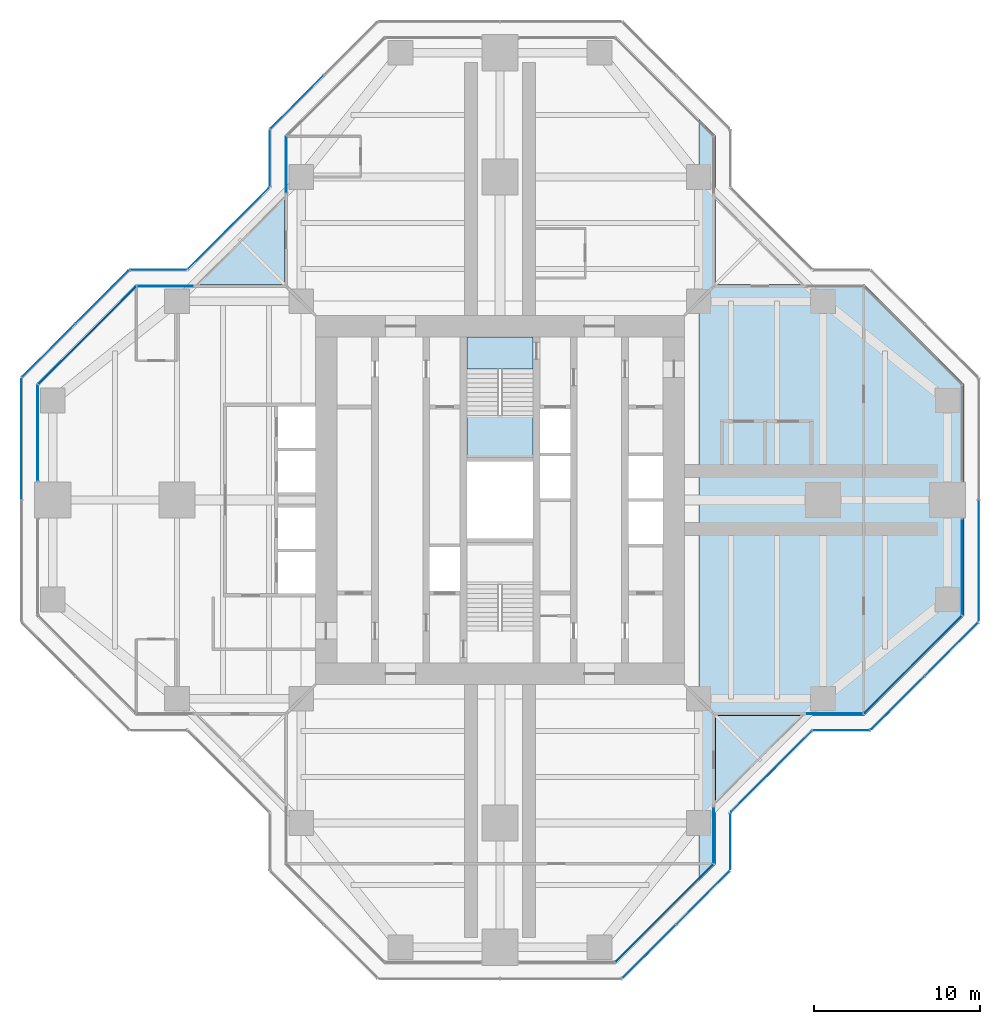
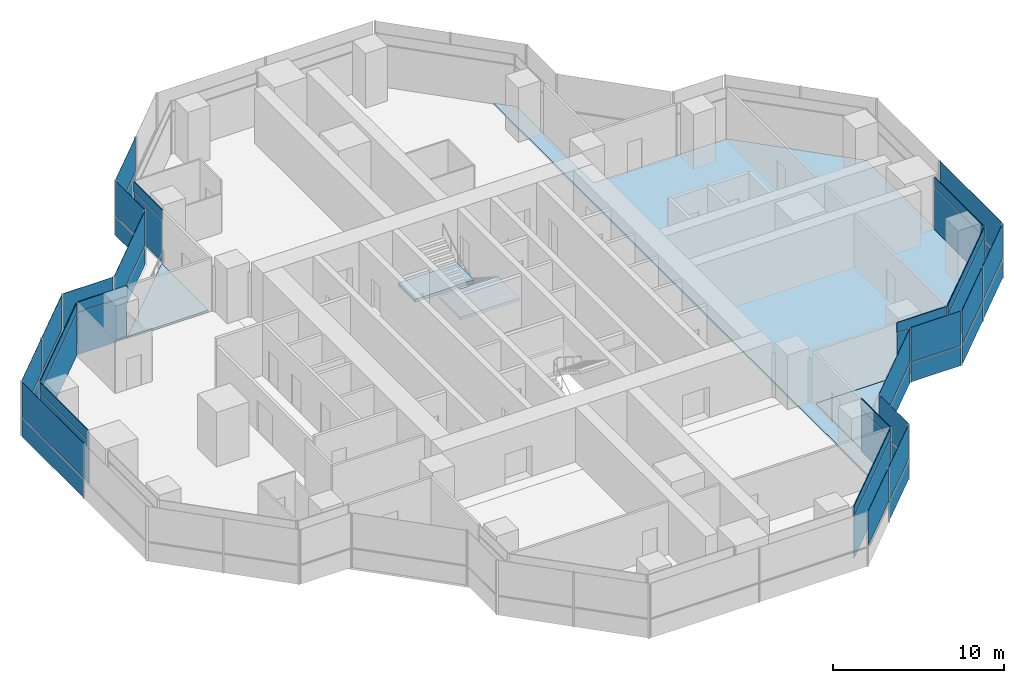
# One storey, part 11 of 17: 47 plates, 5 slabs, 22 elements without a shape of their own.
"""IFC4 building model written with IfcOpenShell, lengths in metres."""

from ifc_helpers import new_model, si_unit, direction, frame, origin, origin_2d, place, context, subcontext, project, spatial, polyline, rectangle, outline, extrude, material, layer, layer_set, type_object, element, aggregate, save


model = new_model("IFC4")

# Units and contexts
model_context = context("Model", 3, precision=1e-05, world=origin(), true_north=direction((0.0, 1.0)))
body_context = subcontext(model_context, "Body", "Model", "MODEL_VIEW")
ifc_project = project(units=[si_unit("LENGTHUNIT", "METRE"), si_unit("AREAUNIT", "SQUARE_METRE"), si_unit("VOLUMEUNIT", "CUBIC_METRE"), si_unit("PLANEANGLEUNIT", "RADIAN"), si_unit("MASSUNIT", "GRAM", prefix="KILO")], contexts=[model_context])

# Site, building, storey
site_placement = place(None, origin())
site = spatial("IfcSite", under=ifc_project, at=site_placement, CompositionType="ELEMENT")
building_placement = place(site_placement, origin())
building = spatial("IfcBuilding", under=site, at=building_placement, Name="Mizan Broadcast Tower", CompositionType="ELEMENT")
storey_placement = place(building_placement, frame((0.0, 0.0, 212.699951171875)))
storey = spatial("IfcBuildingStorey", under=building, at=storey_placement, Name="L49", CompositionType="ELEMENT", Elevation=212.699951171875)

# Slab
ifc_material_1 = material(Name="Concrete C32/40", Category="concrete")
ifc_layer_1 = layer(ifc_material_1, 0.1298828125)
ifc_layer_set_1 = layer_set([ifc_layer_1], Name="Concrete C32/40")
slab_type_1 = type_object("IfcSlabType", Name="COMPOSITE DECK SLAB 130", PredefinedType="FLOOR", material=ifc_layer_set_1)
slab_1_placement = place(storey_placement, frame((0.0, 0.0, -0.1298828125)))
element("IfcSlab", 1, at=slab_1_placement, inside=storey, type_object=slab_type_1, Name="Floor slab L49 east arm", PredefinedType="FLOOR", context=body_context, shape_type="SweptSolid", body=[
    extrude(outline(polyline([(13.0, 22.0), (12.0, 23.0), (12.0, -23.0), (13.0, -22.0), (13.0, -13.0), (22.0, -13.0), (28.0, -7.0), (28.0, 7.0), (22.0, 13.0), (13.0, 13.0), (13.0, 22.0)])), origin(), (0.0, 0.0, 1.0), 0.1298828125),
])

# Curtain wall, plate
ifc_material_2 = material(Name="Aluminium framed glazing", Category="aluminium")
curtain_wall_type_1 = type_object("IfcCurtainWallType", Name="INNER SKIN HIGH ZONE", PredefinedType="USERDEFINED", material=ifc_material_2)
curtain_wall_1_placement = place(storey_placement, origin())
curtain_wall_1 = element("IfcCurtainWall", 2, at=curtain_wall_1_placement, inside=storey, type_object=curtain_wall_type_1, Name="Inner skin high zone L49 E side", ObjectType="INNER SKIN HIGH ZONE", PredefinedType="USERDEFINED")
ifc_material_3 = material(Name="Double glazing, clear low-e", Category="glass")
ifc_layer_2 = layer(ifc_material_3, 0.028076171875)
ifc_layer_set_2 = layer_set([ifc_layer_2], Name="Double glazing, clear low-e")
plate_type_1 = type_object("IfcPlateType", Name="INNER SKIN GLAZING UNIT", PredefinedType="CURTAIN_PANEL", material=ifc_layer_set_2)
plate_1_placement = place(storey_placement, frame((20.229248046875, -12.89990234375, 0.0), z_axis=(0.0, 0.0, 1.0), x_axis=(1.0, 0.0, 0.0)))
plate_1 = element("IfcPlate", 3, at=plate_1_placement, type_object=plate_type_1, Name="Inner skin high zone L49 E side panel 1.1", PredefinedType="CURTAIN_PANEL", context=body_context, shape_type="SweptSolid", body=[
    extrude(rectangle(XDim=3.338623046875, YDim=0.028076171875, at=origin_2d()), origin(), (0.0, 0.0, 1.0), 3.0),
])

curtain_wall_2_placement = place(storey_placement, origin())
curtain_wall_2 = element("IfcCurtainWall", 4, at=curtain_wall_2_placement, inside=storey, type_object=curtain_wall_type_1, Name="Inner skin high zone L49 E chamfer", ObjectType="INNER SKIN HIGH ZONE", PredefinedType="USERDEFINED")
plate_2_placement = place(storey_placement, frame((24.92919921875, -9.92919921875, 0.0), z_axis=(0.0, 0.0, 1.0), x_axis=(0.707106781187, 0.707106781187, 0.0)))
plate_2 = element("IfcPlate", 5, at=plate_2_placement, type_object=plate_type_1, Name="Inner skin high zone L49 E chamfer panel 1.1", PredefinedType="CURTAIN_PANEL", context=body_context, shape_type="SweptSolid", body=[
    extrude(rectangle(XDim=8.282470703125, YDim=0.028076171875, at=origin_2d()), origin(), (0.0, 0.0, 1.0), 3.0),
])

curtain_wall_3_placement = place(storey_placement, origin())
curtain_wall_3 = element("IfcCurtainWall", 6, at=curtain_wall_3_placement, inside=storey, type_object=curtain_wall_type_1, Name="Inner skin high zone L49 E end", ObjectType="INNER SKIN HIGH ZONE", PredefinedType="USERDEFINED")
plate_3_placement = place(storey_placement, frame((27.89990234375, -4.029296875, 0.0), z_axis=(0.0, 0.0, 1.0), x_axis=(0.0, 1.0, 0.0)))
plate_3 = element("IfcPlate", 7, at=plate_3_placement, type_object=plate_type_1, Name="Inner skin high zone L49 E end panel 1.1", PredefinedType="CURTAIN_PANEL", context=body_context, shape_type="SweptSolid", body=[
    extrude(rectangle(XDim=5.738525390625, YDim=0.028076171875, at=origin_2d()), origin(), (0.0, 0.0, 1.0), 3.0),
])

curtain_wall_4_placement = place(storey_placement, origin())
curtain_wall_4 = element("IfcCurtainWall", 8, at=curtain_wall_4_placement, inside=storey, type_object=curtain_wall_type_1, Name="Inner skin high zone L49 N side", ObjectType="INNER SKIN HIGH ZONE", PredefinedType="USERDEFINED")
plate_4_placement = place(storey_placement, frame((-12.89990234375, 20.229248046875, 0.0), z_axis=(0.0, 0.0, 1.0), x_axis=(0.0, -1.0, 0.0)))
plate_4 = element("IfcPlate", 9, at=plate_4_placement, type_object=plate_type_1, Name="Inner skin high zone L49 N side panel 1.1", PredefinedType="CURTAIN_PANEL", context=body_context, shape_type="SweptSolid", body=[
    extrude(rectangle(XDim=3.338623046875, YDim=0.028076171875, at=origin_2d()), origin(), (0.0, 0.0, 1.0), 3.0),
])

curtain_wall_5_placement = place(storey_placement, origin())
curtain_wall_5 = element("IfcCurtainWall", 10, at=curtain_wall_5_placement, inside=storey, type_object=curtain_wall_type_1, Name="Inner skin high zone L49 W side", ObjectType="INNER SKIN HIGH ZONE", PredefinedType="USERDEFINED")
plate_5_placement = place(storey_placement, frame((-20.229248046875, 12.89990234375, 0.0), z_axis=(0.0, 0.0, 1.0), x_axis=(-1.0, 0.0, 0.0)))
plate_5 = element("IfcPlate", 11, at=plate_5_placement, type_object=plate_type_1, Name="Inner skin high zone L49 W side panel 1.1", PredefinedType="CURTAIN_PANEL", context=body_context, shape_type="SweptSolid", body=[
    extrude(rectangle(XDim=3.338623046875, YDim=0.028076171875, at=origin_2d()), origin(), (0.0, 0.0, 1.0), 3.0),
])

curtain_wall_6_placement = place(storey_placement, origin())
curtain_wall_6 = element("IfcCurtainWall", 12, at=curtain_wall_6_placement, inside=storey, type_object=curtain_wall_type_1, Name="Inner skin high zone L49 W chamfer", ObjectType="INNER SKIN HIGH ZONE", PredefinedType="USERDEFINED")
plate_6_placement = place(storey_placement, frame((-24.92919921875, 9.92919921875, 0.0), z_axis=(0.0, 0.0, 1.0), x_axis=(-0.707106781187, -0.707106781187, 0.0)))
plate_6 = element("IfcPlate", 13, at=plate_6_placement, type_object=plate_type_1, Name="Inner skin high zone L49 W chamfer panel 1.1", PredefinedType="CURTAIN_PANEL", context=body_context, shape_type="SweptSolid", body=[
    extrude(rectangle(XDim=8.282470703125, YDim=0.028076171875, at=origin_2d()), origin(), (0.0, 0.0, 1.0), 3.0),
])

curtain_wall_7_placement = place(storey_placement, origin())
curtain_wall_7 = element("IfcCurtainWall", 14, at=curtain_wall_7_placement, inside=storey, type_object=curtain_wall_type_1, Name="Inner skin high zone L49 W end", ObjectType="INNER SKIN HIGH ZONE", PredefinedType="USERDEFINED")
plate_7_placement = place(storey_placement, frame((-27.89990234375, 4.029296875, 0.0), z_axis=(0.0, 0.0, 1.0), x_axis=(0.0, -1.0, 0.0)))
plate_7 = element("IfcPlate", 15, at=plate_7_placement, type_object=plate_type_1, Name="Inner skin high zone L49 W end panel 1.1", PredefinedType="CURTAIN_PANEL", context=body_context, shape_type="SweptSolid", body=[
    extrude(rectangle(XDim=5.738525390625, YDim=0.028076171875, at=origin_2d()), origin(), (0.0, 0.0, 1.0), 3.0),
])

curtain_wall_8_placement = place(storey_placement, origin())
curtain_wall_8 = element("IfcCurtainWall", 16, at=curtain_wall_8_placement, inside=storey, type_object=curtain_wall_type_1, Name="Inner skin high zone L49 S chamfer", ObjectType="INNER SKIN HIGH ZONE", PredefinedType="USERDEFINED")
plate_8_placement = place(storey_placement, frame((9.92919921875, -24.92919921875, 0.0), z_axis=(0.0, 0.0, 1.0), x_axis=(0.707106781187, 0.707106781187, 0.0)))
plate_8 = element("IfcPlate", 17, at=plate_8_placement, type_object=plate_type_1, Name="Inner skin high zone L49 S chamfer panel 1.1", PredefinedType="CURTAIN_PANEL", context=body_context, shape_type="SweptSolid", body=[
    extrude(rectangle(XDim=8.282470703125, YDim=0.028076171875, at=origin_2d()), origin(), (0.0, 0.0, 1.0), 3.0),
])

curtain_wall_9_placement = place(storey_placement, origin())
curtain_wall_9 = element("IfcCurtainWall", 18, at=curtain_wall_9_placement, inside=storey, type_object=curtain_wall_type_1, Name="Inner skin high zone L49 S side", ObjectType="INNER SKIN HIGH ZONE", PredefinedType="USERDEFINED")
plate_9_placement = place(storey_placement, frame((12.89990234375, -20.229248046875, 0.0), z_axis=(0.0, 0.0, 1.0), x_axis=(0.0, 1.0, 0.0)))
plate_9 = element("IfcPlate", 19, at=plate_9_placement, type_object=plate_type_1, Name="Inner skin high zone L49 S side panel 1.1", PredefinedType="CURTAIN_PANEL", context=body_context, shape_type="SweptSolid", body=[
    extrude(rectangle(XDim=3.338623046875, YDim=0.028076171875, at=origin_2d()), origin(), (0.0, 0.0, 1.0), 3.0),
])

# Plate
ifc_material_4 = material(Name="Insulated aluminium spandrel panel, pale anodised", Category="aluminium")
ifc_layer_3 = layer(ifc_material_4, 0.050048828125)
ifc_layer_set_3 = layer_set([ifc_layer_3], Name="Insulated aluminium spandrel panel, pale anodised")
plate_type_2 = type_object("IfcPlateType", Name="INNER SKIN SPANDREL PANEL", PredefinedType="CURTAIN_PANEL", material=ifc_layer_set_3)
plate_10_placement = place(storey_placement, frame((20.229248046875, -12.89990234375, 3.06005859375), z_axis=(0.0, 0.0, 1.0), x_axis=(1.0, 0.0, 0.0)))
plate_10 = element("IfcPlate", 20, at=plate_10_placement, type_object=plate_type_2, Name="Inner skin high zone L49 E side panel 1.2", PredefinedType="CURTAIN_PANEL", context=body_context, shape_type="SweptSolid", body=[
    extrude(rectangle(XDim=3.338623046875, YDim=0.050048828125, at=origin_2d()), origin(), (0.0, 0.0, 1.0), 0.7099609375),
])

aggregate(curtain_wall_1, [plate_1, plate_10])

plate_11_placement = place(storey_placement, frame((24.92919921875, -9.92919921875, 3.06005859375), z_axis=(0.0, 0.0, 1.0), x_axis=(0.707106781187, 0.707106781187, 0.0)))
plate_11 = element("IfcPlate", 21, at=plate_11_placement, type_object=plate_type_2, Name="Inner skin high zone L49 E chamfer panel 1.2", PredefinedType="CURTAIN_PANEL", context=body_context, shape_type="SweptSolid", body=[
    extrude(rectangle(XDim=8.282470703125, YDim=0.050048828125, at=origin_2d()), origin(), (0.0, 0.0, 1.0), 0.7099609375),
])

aggregate(curtain_wall_2, [plate_2, plate_11])

plate_12_placement = place(storey_placement, frame((27.89990234375, -4.029296875, 3.06005859375), z_axis=(0.0, 0.0, 1.0), x_axis=(0.0, 1.0, 0.0)))
plate_12 = element("IfcPlate", 22, at=plate_12_placement, type_object=plate_type_2, Name="Inner skin high zone L49 E end panel 1.2", PredefinedType="CURTAIN_PANEL", context=body_context, shape_type="SweptSolid", body=[
    extrude(rectangle(XDim=5.738525390625, YDim=0.050048828125, at=origin_2d()), origin(), (0.0, 0.0, 1.0), 0.7099609375),
])

aggregate(curtain_wall_3, [plate_3, plate_12])

plate_13_placement = place(storey_placement, frame((-12.89990234375, 20.229248046875, 3.06005859375), z_axis=(0.0, 0.0, 1.0), x_axis=(0.0, -1.0, 0.0)))
plate_13 = element("IfcPlate", 23, at=plate_13_placement, type_object=plate_type_2, Name="Inner skin high zone L49 N side panel 1.2", PredefinedType="CURTAIN_PANEL", context=body_context, shape_type="SweptSolid", body=[
    extrude(rectangle(XDim=3.338623046875, YDim=0.050048828125, at=origin_2d()), origin(), (0.0, 0.0, 1.0), 0.7099609375),
])

aggregate(curtain_wall_4, [plate_4, plate_13])

plate_14_placement = place(storey_placement, frame((-20.229248046875, 12.89990234375, 3.06005859375), z_axis=(0.0, 0.0, 1.0), x_axis=(-1.0, 0.0, 0.0)))
plate_14 = element("IfcPlate", 24, at=plate_14_placement, type_object=plate_type_2, Name="Inner skin high zone L49 W side panel 1.2", PredefinedType="CURTAIN_PANEL", context=body_context, shape_type="SweptSolid", body=[
    extrude(rectangle(XDim=3.338623046875, YDim=0.050048828125, at=origin_2d()), origin(), (0.0, 0.0, 1.0), 0.7099609375),
])

aggregate(curtain_wall_5, [plate_5, plate_14])

plate_15_placement = place(storey_placement, frame((-24.92919921875, 9.92919921875, 3.06005859375), z_axis=(0.0, 0.0, 1.0), x_axis=(-0.707106781187, -0.707106781187, 0.0)))
plate_15 = element("IfcPlate", 25, at=plate_15_placement, type_object=plate_type_2, Name="Inner skin high zone L49 W chamfer panel 1.2", PredefinedType="CURTAIN_PANEL", context=body_context, shape_type="SweptSolid", body=[
    extrude(rectangle(XDim=8.282470703125, YDim=0.050048828125, at=origin_2d()), origin(), (0.0, 0.0, 1.0), 0.7099609375),
])

aggregate(curtain_wall_6, [plate_6, plate_15])

plate_16_placement = place(storey_placement, frame((-27.89990234375, 4.029296875, 3.06005859375), z_axis=(0.0, 0.0, 1.0), x_axis=(0.0, -1.0, 0.0)))
plate_16 = element("IfcPlate", 26, at=plate_16_placement, type_object=plate_type_2, Name="Inner skin high zone L49 W end panel 1.2", PredefinedType="CURTAIN_PANEL", context=body_context, shape_type="SweptSolid", body=[
    extrude(rectangle(XDim=5.738525390625, YDim=0.050048828125, at=origin_2d()), origin(), (0.0, 0.0, 1.0), 0.7099609375),
])

aggregate(curtain_wall_7, [plate_7, plate_16])

plate_17_placement = place(storey_placement, frame((9.92919921875, -24.92919921875, 3.06005859375), z_axis=(0.0, 0.0, 1.0), x_axis=(0.707106781187, 0.707106781187, 0.0)))
plate_17 = element("IfcPlate", 27, at=plate_17_placement, type_object=plate_type_2, Name="Inner skin high zone L49 S chamfer panel 1.2", PredefinedType="CURTAIN_PANEL", context=body_context, shape_type="SweptSolid", body=[
    extrude(rectangle(XDim=8.282470703125, YDim=0.050048828125, at=origin_2d()), origin(), (0.0, 0.0, 1.0), 0.7099609375),
])

aggregate(curtain_wall_8, [plate_8, plate_17])

plate_18_placement = place(storey_placement, frame((12.89990234375, -20.229248046875, 3.06005859375), z_axis=(0.0, 0.0, 1.0), x_axis=(0.0, 1.0, 0.0)))
plate_18 = element("IfcPlate", 28, at=plate_18_placement, type_object=plate_type_2, Name="Inner skin high zone L49 S side panel 1.2", PredefinedType="CURTAIN_PANEL", context=body_context, shape_type="SweptSolid", body=[
    extrude(rectangle(XDim=3.338623046875, YDim=0.050048828125, at=origin_2d()), origin(), (0.0, 0.0, 1.0), 0.7099609375),
])

aggregate(curtain_wall_9, [plate_9, plate_18])

# Curtain wall, plates
ifc_material_5 = material(Name="Aluminium framed glazing", Category="aluminium")
curtain_wall_type_2 = type_object("IfcCurtainWallType", Name="OUTER SKIN", PredefinedType="USERDEFINED", material=ifc_material_5)
curtain_wall_10_placement = place(storey_placement, origin())
curtain_wall_10 = element("IfcCurtainWall", 29, at=curtain_wall_10_placement, inside=storey, type_object=curtain_wall_type_2, Name="Outer skin L49 E chamfer", ObjectType="OUTER SKIN", PredefinedType="USERDEFINED")
ifc_material_6 = material(Name="Laminated clear glass", Category="glass")
ifc_layer_4 = layer(ifc_material_6, 0.02001953125)
ifc_layer_set_4 = layer_set([ifc_layer_4], Name="Laminated clear glass")
plate_type_3 = type_object("IfcPlateType", Name="OUTER SKIN CLEAR GLASS", PredefinedType="CURTAIN_PANEL", material=ifc_layer_set_4)
plate_19_placement = place(storey_placement, frame((24.018798828125, -12.254150390625, 0.0), z_axis=(0.0, 0.0, 1.0), x_axis=(0.707106781187, 0.707106781187, 0.0)))
plate_19 = element("IfcPlate", 30, at=plate_19_placement, type_object=plate_type_3, Name="Outer skin L49 E chamfer panel 1.1", PredefinedType="CURTAIN_PANEL", context=body_context, shape_type="SweptSolid", body=[
    extrude(rectangle(XDim=4.495361328125, YDim=0.02001953125, at=origin_2d()), origin(), (0.0, 0.0, 1.0), 1.3701171875),
])
plate_20_placement = place(storey_placement, frame((24.018798828125, -12.254150390625, 1.43017578125), z_axis=(0.0, 0.0, 1.0), x_axis=(0.707106781187, 0.707106781187, 0.0)))
plate_20 = element("IfcPlate", 31, at=plate_20_placement, type_object=plate_type_3, Name="Outer skin L49 E chamfer panel 1.2", PredefinedType="CURTAIN_PANEL", context=body_context, shape_type="SweptSolid", body=[
    extrude(rectangle(XDim=4.495361328125, YDim=0.02001953125, at=origin_2d()), origin(), (0.0, 0.0, 1.0), 2.469970703125),
])

curtain_wall_11_placement = place(storey_placement, origin())
curtain_wall_11 = element("IfcCurtainWall", 32, at=curtain_wall_11_placement, inside=storey, type_object=curtain_wall_type_2, Name="Outer skin L49 E end", ObjectType="OUTER SKIN", PredefinedType="USERDEFINED")
plate_21_placement = place(storey_placement, frame((28.89990234375, -3.66650390625, 0.0), z_axis=(0.0, 0.0, 1.0), x_axis=(0.0, 1.0, 0.0)))
plate_21 = element("IfcPlate", 33, at=plate_21_placement, type_object=plate_type_3, Name="Outer skin L49 E end panel 1.1", PredefinedType="CURTAIN_PANEL", context=body_context, shape_type="SweptSolid", body=[
    extrude(rectangle(XDim=7.252685546875, YDim=0.02001953125, at=origin_2d()), origin(), (0.0, 0.0, 1.0), 1.3701171875),
])
plate_22_placement = place(storey_placement, frame((28.89990234375, -3.66650390625, 1.43017578125), z_axis=(0.0, 0.0, 1.0), x_axis=(0.0, 1.0, 0.0)))
plate_22 = element("IfcPlate", 34, at=plate_22_placement, type_object=plate_type_3, Name="Outer skin L49 E end panel 1.2", PredefinedType="CURTAIN_PANEL", context=body_context, shape_type="SweptSolid", body=[
    extrude(rectangle(XDim=7.252685546875, YDim=0.02001953125, at=origin_2d()), origin(), (0.0, 0.0, 1.0), 2.469970703125),
])
aggregate(curtain_wall_11, [plate_21, plate_22])

curtain_wall_12_placement = place(storey_placement, origin())
curtain_wall_12 = element("IfcCurtainWall", 35, at=curtain_wall_12_placement, inside=storey, type_object=curtain_wall_type_2, Name="Outer skin L49 N side", ObjectType="OUTER SKIN", PredefinedType="USERDEFINED")
plate_23_placement = place(storey_placement, frame((-13.89990234375, 20.622802734375, 0.0), z_axis=(0.0, 0.0, 1.0), x_axis=(0.0, -1.0, 0.0)))
plate_23 = element("IfcPlate", 36, at=plate_23_placement, type_object=plate_type_3, Name="Outer skin L49 N side panel 1.1", PredefinedType="CURTAIN_PANEL", context=body_context, shape_type="SweptSolid", body=[
    extrude(rectangle(XDim=3.340087890625, YDim=0.02001953125, at=origin_2d()), origin(), (0.0, 0.0, 1.0), 1.3701171875),
])
plate_24_placement = place(storey_placement, frame((-13.89990234375, 20.622802734375, 1.43017578125), z_axis=(0.0, 0.0, 1.0), x_axis=(0.0, -1.0, 0.0)))
plate_24 = element("IfcPlate", 37, at=plate_24_placement, type_object=plate_type_3, Name="Outer skin L49 N side panel 1.2", PredefinedType="CURTAIN_PANEL", context=body_context, shape_type="SweptSolid", body=[
    extrude(rectangle(XDim=3.340087890625, YDim=0.02001953125, at=origin_2d()), origin(), (0.0, 0.0, 1.0), 2.469970703125),
])
aggregate(curtain_wall_12, [plate_23, plate_24])

curtain_wall_13_placement = place(storey_placement, origin())
curtain_wall_13 = element("IfcCurtainWall", 38, at=curtain_wall_13_placement, inside=storey, type_object=curtain_wall_type_2, Name="Outer skin L49 W chamfer", ObjectType="OUTER SKIN", PredefinedType="USERDEFINED")
plate_25_placement = place(storey_placement, frame((-16.386474609375, 16.386474609375, 0.0), z_axis=(0.0, 0.0, 1.0), x_axis=(-0.707106781187, -0.707106781187, 0.0)))
plate_25 = element("IfcPlate", 39, at=plate_25_placement, type_object=plate_type_3, Name="Outer skin L49 W chamfer panel 1.1", PredefinedType="CURTAIN_PANEL", context=body_context, shape_type="SweptSolid", body=[
    extrude(rectangle(XDim=6.87255859375, YDim=0.02001953125, at=origin_2d()), origin(), (0.0, 0.0, 1.0), 1.3701171875),
])
plate_26_placement = place(storey_placement, frame((-16.386474609375, 16.386474609375, 1.43017578125), z_axis=(0.0, 0.0, 1.0), x_axis=(-0.707106781187, -0.707106781187, 0.0)))
plate_26 = element("IfcPlate", 40, at=plate_26_placement, type_object=plate_type_3, Name="Outer skin L49 W chamfer panel 1.2", PredefinedType="CURTAIN_PANEL", context=body_context, shape_type="SweptSolid", body=[
    extrude(rectangle(XDim=6.87255859375, YDim=0.02001953125, at=origin_2d()), origin(), (0.0, 0.0, 1.0), 2.469970703125),
])
aggregate(curtain_wall_13, [plate_25, plate_26])

curtain_wall_14_placement = place(storey_placement, origin())
curtain_wall_14 = element("IfcCurtainWall", 41, at=curtain_wall_14_placement, inside=storey, type_object=curtain_wall_type_2, Name="Outer skin L49 W side", ObjectType="OUTER SKIN", PredefinedType="USERDEFINED")
plate_27_placement = place(storey_placement, frame((-20.622802734375, 13.89990234375, 0.0), z_axis=(0.0, 0.0, 1.0), x_axis=(-1.0, 0.0, 0.0)))
plate_27 = element("IfcPlate", 42, at=plate_27_placement, type_object=plate_type_3, Name="Outer skin L49 W side panel 1.1", PredefinedType="CURTAIN_PANEL", context=body_context, shape_type="SweptSolid", body=[
    extrude(rectangle(XDim=3.340087890625, YDim=0.02001953125, at=origin_2d()), origin(), (0.0, 0.0, 1.0), 1.3701171875),
])
plate_28_placement = place(storey_placement, frame((-20.622802734375, 13.89990234375, 1.43017578125), z_axis=(0.0, 0.0, 1.0), x_axis=(-1.0, 0.0, 0.0)))
plate_28 = element("IfcPlate", 43, at=plate_28_placement, type_object=plate_type_3, Name="Outer skin L49 W side panel 1.2", PredefinedType="CURTAIN_PANEL", context=body_context, shape_type="SweptSolid", body=[
    extrude(rectangle(XDim=3.340087890625, YDim=0.02001953125, at=origin_2d()), origin(), (0.0, 0.0, 1.0), 2.469970703125),
])
aggregate(curtain_wall_14, [plate_27, plate_28])

curtain_wall_15_placement = place(storey_placement, origin())
curtain_wall_15 = element("IfcCurtainWall", 44, at=curtain_wall_15_placement, inside=storey, type_object=curtain_wall_type_2, Name="Outer skin L49 W chamfer", ObjectType="OUTER SKIN", PredefinedType="USERDEFINED")
plate_29_placement = place(storey_placement, frame((-24.018798828125, 12.254150390625, 0.0), z_axis=(0.0, 0.0, 1.0), x_axis=(-0.707106781187, -0.707106781187, 0.0)))
plate_29 = element("IfcPlate", 45, at=plate_29_placement, type_object=plate_type_3, Name="Outer skin L49 W chamfer panel 1.1", PredefinedType="CURTAIN_PANEL", context=body_context, shape_type="SweptSolid", body=[
    extrude(rectangle(XDim=4.495361328125, YDim=0.02001953125, at=origin_2d()), origin(), (0.0, 0.0, 1.0), 1.3701171875),
])
plate_30_placement = place(storey_placement, frame((-24.018798828125, 12.254150390625, 1.43017578125), z_axis=(0.0, 0.0, 1.0), x_axis=(-0.707106781187, -0.707106781187, 0.0)))
plate_30 = element("IfcPlate", 46, at=plate_30_placement, type_object=plate_type_3, Name="Outer skin L49 W chamfer panel 1.2", PredefinedType="CURTAIN_PANEL", context=body_context, shape_type="SweptSolid", body=[
    extrude(rectangle(XDim=4.495361328125, YDim=0.02001953125, at=origin_2d()), origin(), (0.0, 0.0, 1.0), 2.469970703125),
])

curtain_wall_16_placement = place(storey_placement, origin())
curtain_wall_16 = element("IfcCurtainWall", 47, at=curtain_wall_16_placement, inside=storey, type_object=curtain_wall_type_2, Name="Outer skin L49 W end", ObjectType="OUTER SKIN", PredefinedType="USERDEFINED")
plate_31_placement = place(storey_placement, frame((-28.89990234375, 3.66650390625, 0.0), z_axis=(0.0, 0.0, 1.0), x_axis=(0.0, -1.0, 0.0)))
plate_31 = element("IfcPlate", 48, at=plate_31_placement, type_object=plate_type_3, Name="Outer skin L49 W end panel 1.1", PredefinedType="CURTAIN_PANEL", context=body_context, shape_type="SweptSolid", body=[
    extrude(rectangle(XDim=7.252685546875, YDim=0.02001953125, at=origin_2d()), origin(), (0.0, 0.0, 1.0), 1.3701171875),
])
plate_32_placement = place(storey_placement, frame((-28.89990234375, 3.66650390625, 1.43017578125), z_axis=(0.0, 0.0, 1.0), x_axis=(0.0, -1.0, 0.0)))
plate_32 = element("IfcPlate", 49, at=plate_32_placement, type_object=plate_type_3, Name="Outer skin L49 W end panel 1.2", PredefinedType="CURTAIN_PANEL", context=body_context, shape_type="SweptSolid", body=[
    extrude(rectangle(XDim=7.252685546875, YDim=0.02001953125, at=origin_2d()), origin(), (0.0, 0.0, 1.0), 2.469970703125),
])
aggregate(curtain_wall_16, [plate_31, plate_32])

# Curtain wall, plate
curtain_wall_17_placement = place(storey_placement, origin())
curtain_wall_17 = element("IfcCurtainWall", 50, at=curtain_wall_17_placement, inside=storey, type_object=curtain_wall_type_2, Name="Outer skin L49 S chamfer", ObjectType="OUTER SKIN", PredefinedType="USERDEFINED")
plate_33_placement = place(storey_placement, frame((9.018798828125, -27.254150390625, 1.43017578125), z_axis=(0.0, 0.0, 1.0), x_axis=(0.707106781187, 0.707106781187, 0.0)))
plate_33 = element("IfcPlate", 51, at=plate_33_placement, type_object=plate_type_3, Name="Outer skin L49 S chamfer panel 1.2", PredefinedType="CURTAIN_PANEL", context=body_context, shape_type="SweptSolid", body=[
    extrude(rectangle(XDim=4.495361328125, YDim=0.02001953125, at=origin_2d()), origin(), (0.0, 0.0, 1.0), 2.469970703125),
])

# Curtain wall, plates
curtain_wall_18_placement = place(storey_placement, origin())
curtain_wall_18 = element("IfcCurtainWall", 52, at=curtain_wall_18_placement, inside=storey, type_object=curtain_wall_type_2, Name="Outer skin L49 S side", ObjectType="OUTER SKIN", PredefinedType="USERDEFINED")
plate_34_placement = place(storey_placement, frame((13.89990234375, -20.622802734375, 0.0), z_axis=(0.0, 0.0, 1.0), x_axis=(0.0, 1.0, 0.0)))
plate_34 = element("IfcPlate", 53, at=plate_34_placement, type_object=plate_type_3, Name="Outer skin L49 S side panel 1.1", PredefinedType="CURTAIN_PANEL", context=body_context, shape_type="SweptSolid", body=[
    extrude(rectangle(XDim=3.340087890625, YDim=0.02001953125, at=origin_2d()), origin(), (0.0, 0.0, 1.0), 1.3701171875),
])
plate_35_placement = place(storey_placement, frame((13.89990234375, -20.622802734375, 1.43017578125), z_axis=(0.0, 0.0, 1.0), x_axis=(0.0, 1.0, 0.0)))
plate_35 = element("IfcPlate", 54, at=plate_35_placement, type_object=plate_type_3, Name="Outer skin L49 S side panel 1.2", PredefinedType="CURTAIN_PANEL", context=body_context, shape_type="SweptSolid", body=[
    extrude(rectangle(XDim=3.340087890625, YDim=0.02001953125, at=origin_2d()), origin(), (0.0, 0.0, 1.0), 2.469970703125),
])
aggregate(curtain_wall_18, [plate_34, plate_35])

curtain_wall_19_placement = place(storey_placement, origin())
curtain_wall_19 = element("IfcCurtainWall", 55, at=curtain_wall_19_placement, inside=storey, type_object=curtain_wall_type_2, Name="Outer skin L49 E chamfer", ObjectType="OUTER SKIN", PredefinedType="USERDEFINED")
plate_36_placement = place(storey_placement, frame((16.386474609375, -16.386474609375, 0.0), z_axis=(0.0, 0.0, 1.0), x_axis=(0.707106781187, 0.707106781187, 0.0)))
plate_36 = element("IfcPlate", 56, at=plate_36_placement, type_object=plate_type_3, Name="Outer skin L49 E chamfer panel 1.1", PredefinedType="CURTAIN_PANEL", context=body_context, shape_type="SweptSolid", body=[
    extrude(rectangle(XDim=6.87255859375, YDim=0.02001953125, at=origin_2d()), origin(), (0.0, 0.0, 1.0), 1.3701171875),
])
plate_37_placement = place(storey_placement, frame((16.386474609375, -16.386474609375, 1.43017578125), z_axis=(0.0, 0.0, 1.0), x_axis=(0.707106781187, 0.707106781187, 0.0)))
plate_37 = element("IfcPlate", 57, at=plate_37_placement, type_object=plate_type_3, Name="Outer skin L49 E chamfer panel 1.2", PredefinedType="CURTAIN_PANEL", context=body_context, shape_type="SweptSolid", body=[
    extrude(rectangle(XDim=6.87255859375, YDim=0.02001953125, at=origin_2d()), origin(), (0.0, 0.0, 1.0), 2.469970703125),
])
aggregate(curtain_wall_19, [plate_36, plate_37])

curtain_wall_20_placement = place(storey_placement, origin())
curtain_wall_20 = element("IfcCurtainWall", 58, at=curtain_wall_20_placement, inside=storey, type_object=curtain_wall_type_2, Name="Outer skin L49 E side", ObjectType="OUTER SKIN", PredefinedType="USERDEFINED")
plate_38_placement = place(storey_placement, frame((20.622802734375, -13.89990234375, 0.0), z_axis=(0.0, 0.0, 1.0), x_axis=(1.0, 0.0, 0.0)))
plate_38 = element("IfcPlate", 59, at=plate_38_placement, type_object=plate_type_3, Name="Outer skin L49 E side panel 1.1", PredefinedType="CURTAIN_PANEL", context=body_context, shape_type="SweptSolid", body=[
    extrude(rectangle(XDim=3.340087890625, YDim=0.02001953125, at=origin_2d()), origin(), (0.0, 0.0, 1.0), 1.3701171875),
])
plate_39_placement = place(storey_placement, frame((20.622802734375, -13.89990234375, 1.43017578125), z_axis=(0.0, 0.0, 1.0), x_axis=(1.0, 0.0, 0.0)))
plate_39 = element("IfcPlate", 60, at=plate_39_placement, type_object=plate_type_3, Name="Outer skin L49 E side panel 1.2", PredefinedType="CURTAIN_PANEL", context=body_context, shape_type="SweptSolid", body=[
    extrude(rectangle(XDim=3.340087890625, YDim=0.02001953125, at=origin_2d()), origin(), (0.0, 0.0, 1.0), 2.469970703125),
])
aggregate(curtain_wall_20, [plate_38, plate_39])

# Plate
ifc_material_7 = material(Name="Perforated aluminium, pale anodised", Category="aluminium")
ifc_layer_5 = layer(ifc_material_7, 0.011962890625)
ifc_layer_set_5 = layer_set([ifc_layer_5], Name="Perforated aluminium, pale anodised")
plate_type_4 = type_object("IfcPlateType", Name="OUTER SKIN PERFORATED SCREEN", PredefinedType="USERDEFINED", material=ifc_layer_set_5)
plate_40_placement = place(storey_placement, frame((27.254150390625, -9.018798828125, 0.0), z_axis=(0.0, 0.0, 1.0), x_axis=(0.707106781187, 0.707106781187, 0.0)))
plate_40 = element("IfcPlate", 61, at=plate_40_placement, type_object=plate_type_4, Name="Outer skin L49 E chamfer panel 2.1", ObjectType="SCREEN", PredefinedType="USERDEFINED", context=body_context, shape_type="SweptSolid", body=[
    extrude(rectangle(XDim=4.495361328125, YDim=0.011962890625, at=origin_2d()), origin(), (0.0, 0.0, 1.0), 1.3701171875),
])

plate_41_placement = place(storey_placement, frame((27.254150390625, -9.018798828125, 1.43017578125), z_axis=(0.0, 0.0, 1.0), x_axis=(0.707106781187, 0.707106781187, 0.0)))
plate_41 = element("IfcPlate", 62, at=plate_41_placement, type_object=plate_type_4, Name="Outer skin L49 E chamfer panel 2.2", ObjectType="SCREEN", PredefinedType="USERDEFINED", context=body_context, shape_type="SweptSolid", body=[
    extrude(rectangle(XDim=4.495361328125, YDim=0.011962890625, at=origin_2d()), origin(), (0.0, 0.0, 1.0), 2.469970703125),
])

aggregate(curtain_wall_10, [plate_19, plate_20, plate_40, plate_41])

# Curtain wall, plates
curtain_wall_21_placement = place(storey_placement, origin())
curtain_wall_21 = element("IfcCurtainWall", 63, at=curtain_wall_21_placement, inside=storey, type_object=curtain_wall_type_2, Name="Outer skin L49 N chamfer", ObjectType="OUTER SKIN", PredefinedType="USERDEFINED")
plate_42_placement = place(storey_placement, frame((-12.254150390625, 24.018798828125, 0.0), z_axis=(0.0, 0.0, 1.0), x_axis=(-0.707106781187, -0.707106781187, 0.0)))
plate_42 = element("IfcPlate", 64, at=plate_42_placement, type_object=plate_type_4, Name="Outer skin L49 N chamfer panel 2.1", ObjectType="SCREEN", PredefinedType="USERDEFINED", context=body_context, shape_type="SweptSolid", body=[
    extrude(rectangle(XDim=4.495361328125, YDim=0.011962890625, at=origin_2d()), origin(), (0.0, 0.0, 1.0), 1.3701171875),
])
plate_43_placement = place(storey_placement, frame((-12.254150390625, 24.018798828125, 1.43017578125), z_axis=(0.0, 0.0, 1.0), x_axis=(-0.707106781187, -0.707106781187, 0.0)))
plate_43 = element("IfcPlate", 65, at=plate_43_placement, type_object=plate_type_4, Name="Outer skin L49 N chamfer panel 2.2", ObjectType="SCREEN", PredefinedType="USERDEFINED", context=body_context, shape_type="SweptSolid", body=[
    extrude(rectangle(XDim=4.495361328125, YDim=0.011962890625, at=origin_2d()), origin(), (0.0, 0.0, 1.0), 2.469970703125),
])
aggregate(curtain_wall_21, [plate_42, plate_43])

# Plate
plate_44_placement = place(storey_placement, frame((-27.254150390625, 9.018798828125, 0.0), z_axis=(0.0, 0.0, 1.0), x_axis=(-0.707106781187, -0.707106781187, 0.0)))
plate_44 = element("IfcPlate", 66, at=plate_44_placement, type_object=plate_type_4, Name="Outer skin L49 W chamfer panel 2.1", ObjectType="SCREEN", PredefinedType="USERDEFINED", context=body_context, shape_type="SweptSolid", body=[
    extrude(rectangle(XDim=4.495361328125, YDim=0.011962890625, at=origin_2d()), origin(), (0.0, 0.0, 1.0), 1.3701171875),
])

plate_45_placement = place(storey_placement, frame((-27.254150390625, 9.018798828125, 1.43017578125), z_axis=(0.0, 0.0, 1.0), x_axis=(-0.707106781187, -0.707106781187, 0.0)))
plate_45 = element("IfcPlate", 67, at=plate_45_placement, type_object=plate_type_4, Name="Outer skin L49 W chamfer panel 2.2", ObjectType="SCREEN", PredefinedType="USERDEFINED", context=body_context, shape_type="SweptSolid", body=[
    extrude(rectangle(XDim=4.495361328125, YDim=0.011962890625, at=origin_2d()), origin(), (0.0, 0.0, 1.0), 2.469970703125),
])

aggregate(curtain_wall_15, [plate_29, plate_30, plate_44, plate_45])

plate_46_placement = place(storey_placement, frame((12.254150390625, -24.018798828125, 0.0), z_axis=(0.0, 0.0, 1.0), x_axis=(0.707106781187, 0.707106781187, 0.0)))
plate_46 = element("IfcPlate", 68, at=plate_46_placement, type_object=plate_type_4, Name="Outer skin L49 S chamfer panel 2.1", ObjectType="SCREEN", PredefinedType="USERDEFINED", context=body_context, shape_type="SweptSolid", body=[
    extrude(rectangle(XDim=4.495361328125, YDim=0.011962890625, at=origin_2d()), origin(), (0.0, 0.0, 1.0), 1.3701171875),
])

plate_47_placement = place(storey_placement, frame((12.254150390625, -24.018798828125, 1.43017578125), z_axis=(0.0, 0.0, 1.0), x_axis=(0.707106781187, 0.707106781187, 0.0)))
plate_47 = element("IfcPlate", 69, at=plate_47_placement, type_object=plate_type_4, Name="Outer skin L49 S chamfer panel 2.2", ObjectType="SCREEN", PredefinedType="USERDEFINED", context=body_context, shape_type="SweptSolid", body=[
    extrude(rectangle(XDim=4.495361328125, YDim=0.011962890625, at=origin_2d()), origin(), (0.0, 0.0, 1.0), 2.469970703125),
])

aggregate(curtain_wall_17, [plate_33, plate_46, plate_47])

# Stair, slabs
ifc_material_8 = material(Name="Concrete C40/50", Category="concrete")
stair_type = type_object("IfcStairType", Name="EXIT STAIR", PredefinedType="HALF_TURN_STAIR", material=ifc_material_8)
stair_placement = place(storey_placement, origin())
stair = element("IfcStair", 70, at=stair_placement, inside=storey, type_object=stair_type, Name="Stair B L49", PredefinedType="HALF_TURN_STAIR")
ifc_material_9 = material(Name="Concrete C40/50", Category="concrete")
ifc_layer_6 = layer(ifc_material_9, 0.199951171875)
ifc_layer_set_6 = layer_set([ifc_layer_6], Name="Concrete C40/50")
slab_type_2 = type_object("IfcSlabType", Name="STAIR LANDING 200", PredefinedType="LANDING", material=ifc_layer_set_6)
slab_2_placement = place(storey_placement, frame((0.0, 0.0, -0.199951171875)))
slab_2 = element("IfcSlab", 71, at=slab_2_placement, type_object=slab_type_2, Name="B landing 1", PredefinedType="LANDING", context=body_context, shape_type="SweptSolid", body=[
    extrude(outline(polyline([(2.0, 9.85009765625), (2.0, 7.89990234375), (-2.0, 7.89990234375), (-2.0, 9.85009765625), (2.0, 9.85009765625)])), origin(), (0.0, 0.0, 1.0), 0.199951171875),
])
slab_3_placement = place(storey_placement, frame((0.0, 0.0, 1.75)))
slab_3 = element("IfcSlab", 72, at=slab_3_placement, type_object=slab_type_2, Name="B landing 2", PredefinedType="LANDING", context=body_context, shape_type="SweptSolid", body=[
    extrude(outline(polyline([(2.0, 5.10009765625), (2.0, 2.574951171875), (-2.0, 2.574951171875), (-2.0, 5.10009765625), (2.0, 5.10009765625)])), origin(), (0.0, 0.0, 1.0), 0.199951171875),
])
aggregate(stair, [slab_2, slab_3])

# Slabs
ifc_material_10 = material(Name="Concrete C32/40", Category="concrete")
ifc_layer_7 = layer(ifc_material_10, 0.1298828125)
ifc_layer_set_7 = layer_set([ifc_layer_7], Name="Concrete C32/40")
slab_type_3 = type_object("IfcSlabType", Name="WINTER GARDEN SLAB 130", PredefinedType="FLOOR", material=ifc_layer_set_7)
slab_4_placement = place(storey_placement, frame((0.0, 0.0, -0.1298828125)))
element("IfcSlab", 73, at=slab_4_placement, inside=storey, type_object=slab_type_3, Name="Winter garden slab L49 N", PredefinedType="FLOOR", context=body_context, shape_type="SweptSolid", body=[
    extrude(outline(polyline([(-13.0, 13.0), (-13.0, 18.5), (-18.5, 13.0), (-13.0, 13.0)])), origin(), (0.0, 0.0, 1.0), 0.1298828125),
])
slab_5_placement = place(storey_placement, frame((0.0, 0.0, -0.1298828125)))
element("IfcSlab", 74, at=slab_5_placement, inside=storey, type_object=slab_type_3, Name="Winter garden slab L49 S", PredefinedType="FLOOR", context=body_context, shape_type="SweptSolid", body=[
    extrude(outline(polyline([(13.0, -13.0), (13.0, -18.5), (18.5, -13.0), (13.0, -13.0)])), origin(), (0.0, 0.0, 1.0), 0.1298828125),
])

save(model, "model.ifc")
